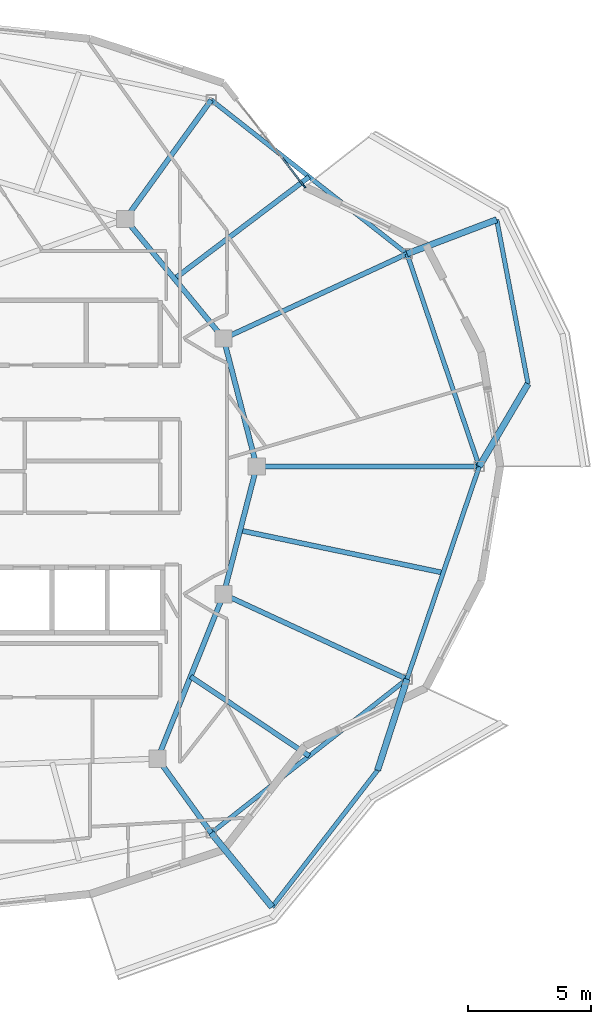
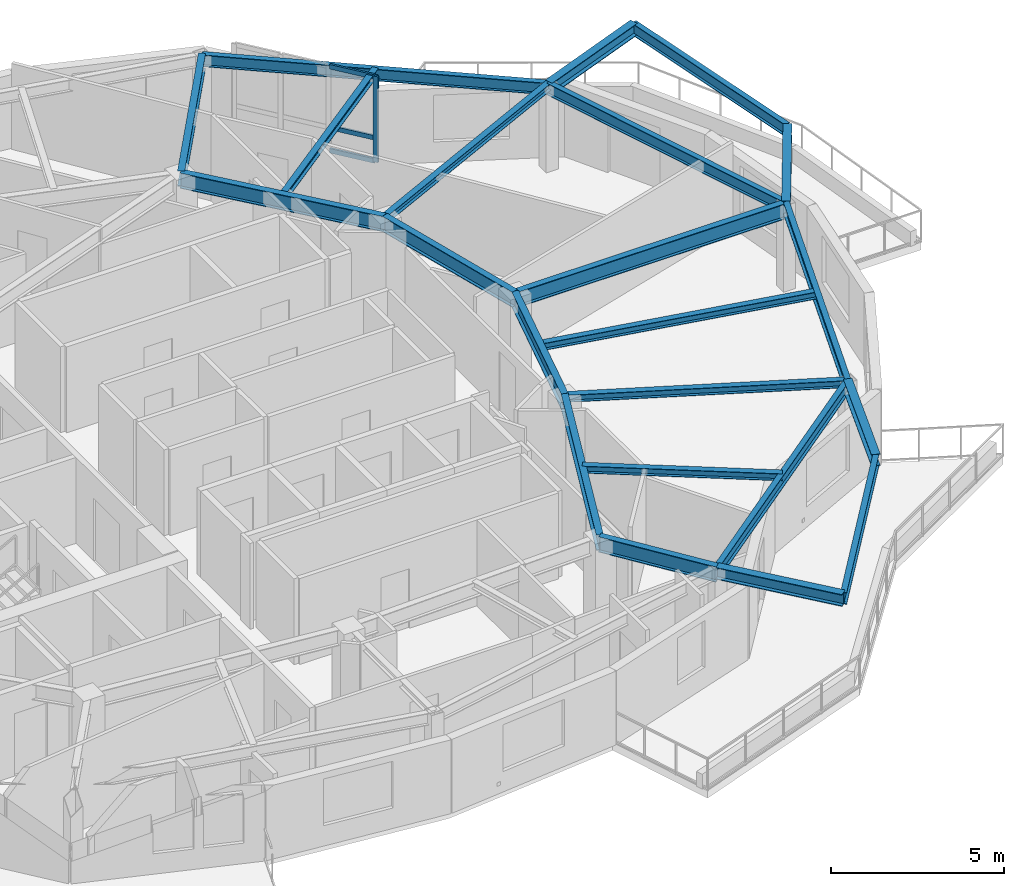
# One storey, part 4 of 14: 22 beams, 4 members, 1 element without a shape of its own.
"""IFC4 building model written with IfcOpenShell, lengths in metres."""

from ifc_helpers import new_model, si_unit, direction, frame, origin, origin_2d, place, context, subcontext, project, spatial, rectangle, i_section, extrude, material, layer, layer_set, material_profile, profile_set, type_object, element, aggregate, save


model = new_model("IFC4")

# Units and contexts
model_context = context("Model", 3, precision=1e-05, world=origin(), true_north=direction((0.0, 1.0)))
body_context = subcontext(model_context, "Body", "Model", "MODEL_VIEW")
ifc_project = project(units=[si_unit("LENGTHUNIT", "METRE"), si_unit("AREAUNIT", "SQUARE_METRE"), si_unit("VOLUMEUNIT", "CUBIC_METRE"), si_unit("PLANEANGLEUNIT", "RADIAN"), si_unit("MASSUNIT", "GRAM", prefix="KILO")], contexts=[model_context])

# Site, building, storey
site_placement = place(None, origin())
site = spatial("IfcSite", under=ifc_project, at=site_placement, CompositionType="ELEMENT")
building_placement = place(site_placement, origin())
building = spatial("IfcBuilding", under=site, at=building_placement, Name="Kolvaren Gate Tower and Convention Centre", CompositionType="ELEMENT")
storey_placement = place(building_placement, frame((0.0, 0.0, 245.89990234375)))
storey = spatial("IfcBuildingStorey", under=building, at=storey_placement, Name="L66", CompositionType="ELEMENT", Elevation=245.89990234375)

# Curtain wall, members
ifc_material_1 = material(Name="Anodized Architectural Aluminium Alloy 6063-T6", Category="aluminium")
ifc_layer = layer(ifc_material_1, 0.159912109375)
ifc_layer_set = layer_set([ifc_layer], Name="Anodized Architectural Aluminium Alloy 6063-T6")
curtain_wall_type = type_object("IfcCurtainWallType", Name="CW-RES-UNIT", PredefinedType="NOTDEFINED", material=ifc_layer_set)
curtain_wall_placement = place(storey_placement, origin())
curtain_wall = element("IfcCurtainWall", 1, at=curtain_wall_placement, inside=storey, type_object=curtain_wall_type, Name="Tower L66 Unitised Curtain Wall CW-RES-UNIT Bay 03", PredefinedType="NOTDEFINED")
ifc_material_profile_1 = material_profile(ifc_material_1, rectangle(XDim=0.06494140625, YDim=0.159912109375, at=origin_2d()), Name="CW-MEM-MUL-160")
ifc_profile_set_1 = profile_set([ifc_material_profile_1], Name="Anodized Architectural Aluminium Alloy 6063-T6")
member_type_1 = type_object("IfcMemberType", Name="CW-MEM-MUL-160", PredefinedType="MULLION", material=ifc_profile_set_1)
member_1_placement = place(storey_placement, frame((44.6572265625, 38.39599609375, 0.0), z_axis=(0.0, 0.0, 1.0), x_axis=(0.787402801606, 0.616438827479, 0.0)))
member_1 = element("IfcMember", 2, at=member_1_placement, type_object=member_type_1, Name="CW-04 mullion 4", PredefinedType="MULLION", context=body_context, shape_type="SweptSolid", body=[
    extrude(rectangle(XDim=0.06494140625, YDim=0.159912109375, at=origin_2d()), origin(), (0.0, 0.0, 1.0), 3.030029296875),
])
ifc_material_profile_2 = material_profile(ifc_material_1, rectangle(XDim=0.06494140625, YDim=0.159912109375, at=origin_2d()), Name="CW-MEM-TRN-160")
ifc_profile_set_2 = profile_set([ifc_material_profile_2], Name="Anodized Architectural Aluminium Alloy 6063-T6")
member_type_2 = type_object("IfcMemberType", Name="CW-MEM-TRN-160", PredefinedType="USERDEFINED", material=ifc_profile_set_2)
member_2_placement = place(storey_placement, frame((43.776611328125, 39.520751953125, 0.03271484375), z_axis=(0.616407273095, -0.787427503758, 0.0), x_axis=(0.787427503758, 0.616407273095, 0.0)))
member_2 = element("IfcMember", 3, at=member_2_placement, type_object=member_type_2, Name="CW-04 transom 3.1", ObjectType="TRANSOM", PredefinedType="USERDEFINED", context=body_context, shape_type="SweptSolid", body=[
    extrude(rectangle(XDim=0.06494140625, YDim=0.159912109375, at=origin_2d()), origin(), (0.0, 0.0, 1.0), 1.396240234375),
])
member_3_placement = place(storey_placement, frame((43.776611328125, 39.520751953125, 0.85009765625), z_axis=(0.616407273095, -0.787427503758, 0.0), x_axis=(0.787427503758, 0.616407273095, 0.0)))
member_3 = element("IfcMember", 4, at=member_3_placement, type_object=member_type_2, Name="CW-04 transom 3.2", ObjectType="TRANSOM", PredefinedType="USERDEFINED", context=body_context, shape_type="SweptSolid", body=[
    extrude(rectangle(XDim=0.06494140625, YDim=0.159912109375, at=origin_2d()), origin(), (0.0, 0.0, 1.0), 1.396240234375),
])
member_4_placement = place(storey_placement, frame((43.776611328125, 39.520751953125, 2.99755859375), z_axis=(0.616407273095, -0.787427503758, 0.0), x_axis=(0.787427503758, 0.616407273095, 0.0)))
member_4 = element("IfcMember", 5, at=member_4_placement, type_object=member_type_2, Name="CW-04 transom 3.3", ObjectType="TRANSOM", PredefinedType="USERDEFINED", context=body_context, shape_type="SweptSolid", body=[
    extrude(rectangle(XDim=0.06494140625, YDim=0.159912109375, at=origin_2d()), origin(), (0.0, 0.0, 1.0), 1.396240234375),
])
aggregate(curtain_wall, [member_1, member_2, member_3, member_4])

# Beams
ifc_material_2 = material(Name="Structural steel ASTM A992 Grade 345 MPa", Category="steel")
ifc_material_profile_3 = material_profile(ifc_material_2, i_section(OverallWidth=0.260009765625, OverallDepth=0.419921875, WebThickness=0.013427734375, FlangeThickness=0.0224609375, at=origin_2d()), Name="W410X132")
ifc_profile_set_3 = profile_set([ifc_material_profile_3], Name="Structural steel ASTM A992 Grade 345 MPa")
beam_type_1 = type_object("IfcBeamType", Name="STR-BM-W410X132", PredefinedType="BEAM", material=ifc_profile_set_3)
beam_1_placement = place(storey_placement, frame((51.77490234375, 27.0, 2.820556640625), z_axis=(0.508138645793, 0.861275285058, 0.0), x_axis=(-0.861275285058, 0.508138645793, 0.0)))
element("IfcBeam", 6, at=beam_1_placement, inside=storey, type_object=beam_type_1, Name="Tower L67 Planted Balcony Outrigger Cantilever BC-1A", PredefinedType="BEAM", context=body_context, shape_type="SweptSolid", body=[
    extrude(i_section(OverallWidth=0.260009765625, OverallDepth=0.419921875, WebThickness=0.013427734375, FlangeThickness=0.0224609375, at=origin_2d()), origin(), (0.0, 0.0, 1.0), 3.89990234375),
])
beam_2_placement = place(storey_placement, frame((48.8388671875, 35.6435546875, 2.820556640625), z_axis=(0.934583890573, 0.355742816485, 0.0), x_axis=(-0.355742816485, 0.934583890573, 0.0)))
element("IfcBeam", 7, at=beam_2_placement, inside=storey, type_object=beam_type_1, Name="Tower L67 Planted Balcony Outrigger Cantilever BC-1B", PredefinedType="BEAM", context=body_context, shape_type="SweptSolid", body=[
    extrude(i_section(OverallWidth=0.260009765625, OverallDepth=0.419921875, WebThickness=0.013427734375, FlangeThickness=0.0224609375, at=origin_2d()), origin(), (0.0, 0.0, 1.0), 3.900146484375),
])
beam_3_placement = place(storey_placement, frame((40.877685546875, 12.100830078125, 2.820556640625), z_axis=(0.634712723343, -0.77274818591, 0.0), x_axis=(0.77274818591, 0.634712723343, 0.0)))
element("IfcBeam", 8, at=beam_3_placement, inside=storey, type_object=beam_type_1, Name="Tower L67 Planted Balcony Outrigger Cantilever BC-4A", PredefinedType="BEAM", context=body_context, shape_type="SweptSolid", body=[
    extrude(i_section(OverallWidth=0.260009765625, OverallDepth=0.419921875, WebThickness=0.013427734375, FlangeThickness=0.0224609375, at=origin_2d()), origin(), (0.0, 0.0, 1.0), 3.89990234375),
])
beam_4_placement = place(storey_placement, frame((48.8388671875, 18.3564453125, 2.820556640625), z_axis=(-0.307670281141, -0.951493036287, 0.0), x_axis=(0.951493036287, -0.307670281141, 0.0)))
element("IfcBeam", 9, at=beam_4_placement, inside=storey, type_object=beam_type_1, Name="Tower L67 Planted Balcony Outrigger Cantilever BC-4B", PredefinedType="BEAM", context=body_context, shape_type="SweptSolid", body=[
    extrude(i_section(OverallWidth=0.260009765625, OverallDepth=0.419921875, WebThickness=0.013427734375, FlangeThickness=0.0224609375, at=origin_2d()), origin(), (0.0, 0.0, 1.0), 3.900146484375),
])
ifc_material_profile_4 = material_profile(ifc_material_2, i_section(OverallWidth=0.2119140625, OverallDepth=0.5439453125, WebThickness=0.01318359375, FlangeThickness=0.021240234375, at=origin_2d()), Name="W530X123")
ifc_profile_set_4 = profile_set([ifc_material_profile_4], Name="Structural steel ASTM A992 Grade 345 MPa")
beam_type_2 = type_object("IfcBeamType", Name="STR-BM-W530X123", PredefinedType="BEAM", material=ifc_profile_set_4)
beam_5_placement = place(storey_placement, frame((42.72509765625, 27.0, 2.758056640625), z_axis=(-0.250091133936, -0.968222301296, 0.0), x_axis=(0.968222301296, -0.250091133936, 0.0)))
element("IfcBeam", 10, at=beam_5_placement, inside=storey, type_object=beam_type_2, Name="Tower L66 Primary Ring Girder G-01", PredefinedType="BEAM", context=body_context, shape_type="SweptSolid", body=[
    extrude(i_section(OverallWidth=0.2119140625, OverallDepth=0.5439453125, WebThickness=0.01318359375, FlangeThickness=0.021240234375, at=origin_2d()), origin(), (0.0, 0.0, 1.0), 5.3701171875),
])
beam_6_placement = place(storey_placement, frame((41.382080078125, 32.199462890625, 2.758056640625), z_axis=(-0.635884066011, 0.771784590798, 0.0), x_axis=(-0.771784590798, -0.635884066011, 0.0)))
element("IfcBeam", 11, at=beam_6_placement, inside=storey, type_object=beam_type_2, Name="Tower L66 Primary Ring Girder G-02", PredefinedType="BEAM", context=body_context, shape_type="SweptSolid", body=[
    extrude(i_section(OverallWidth=0.2119140625, OverallDepth=0.5439453125, WebThickness=0.01318359375, FlangeThickness=0.021240234375, at=origin_2d()), origin(), (0.0, 0.0, 1.0), 6.291259765625),
])
beam_7_placement = place(storey_placement, frame((38.6982421875, 15.12060546875, 2.758056640625), z_axis=(0.372811100169, 0.927907260232, 0.0), x_axis=(-0.927907260232, 0.372811100169, 0.0)))
element("IfcBeam", 12, at=beam_7_placement, inside=storey, type_object=beam_type_2, Name="Tower L66 Primary Ring Girder G-09", PredefinedType="BEAM", context=body_context, shape_type="SweptSolid", body=[
    extrude(i_section(OverallWidth=0.2119140625, OverallDepth=0.5439453125, WebThickness=0.01318359375, FlangeThickness=0.021240234375, at=origin_2d()), origin(), (0.0, 0.0, 1.0), 7.198974609375),
])
beam_8_placement = place(storey_placement, frame((42.72509765625, 27.0, 2.758056640625), z_axis=(-0.250091133936, 0.968222301296, 0.0), x_axis=(-0.968222301296, -0.250091133936, 0.0)))
element("IfcBeam", 13, at=beam_8_placement, inside=storey, type_object=beam_type_2, Name="Tower L66 Primary Ring Girder G-12", PredefinedType="BEAM", context=body_context, shape_type="SweptSolid", body=[
    extrude(i_section(OverallWidth=0.2119140625, OverallDepth=0.5439453125, WebThickness=0.01318359375, FlangeThickness=0.021240234375, at=origin_2d()), origin(), (0.0, 0.0, 1.0), 5.3701171875),
])
beam_9_placement = place(storey_placement, frame((42.72509765625, 27.0, 2.758056640625), z_axis=(1.0, 0.0, 0.0), x_axis=(0.0, 1.0, 0.0)))
element("IfcBeam", 14, at=beam_9_placement, inside=storey, type_object=beam_type_2, Name="Tower L66 Radial Floor Girder RB-01", PredefinedType="BEAM", context=body_context, shape_type="SweptSolid", body=[
    extrude(i_section(OverallWidth=0.2119140625, OverallDepth=0.5439453125, WebThickness=0.01318359375, FlangeThickness=0.021240234375, at=origin_2d()), origin(), (0.0, 0.0, 1.0), 9.0498046875),
])
beam_10_placement = place(storey_placement, frame((37.381591796875, 37.054931640625, 2.758056640625), z_axis=(0.585212989833, 0.810879619013, 0.0), x_axis=(-0.810879619013, 0.585212989833, 0.0)))
element("IfcBeam", 15, at=beam_10_placement, inside=storey, type_object=beam_type_2, Name="Tower L66 Radial Floor Girder RB-03", PredefinedType="BEAM", context=body_context, shape_type="SweptSolid", body=[
    extrude(i_section(OverallWidth=0.2119140625, OverallDepth=0.5439453125, WebThickness=0.01318359375, FlangeThickness=0.021240234375, at=origin_2d()), origin(), (0.0, 0.0, 1.0), 5.97412109375),
])
beam_11_placement = place(storey_placement, frame((38.6982421875, 15.12060546875, 2.758056640625), z_axis=(0.58522483817, -0.81087106792, 0.0), x_axis=(0.81087106792, 0.58522483817, 0.0)))
element("IfcBeam", 16, at=beam_11_placement, inside=storey, type_object=beam_type_2, Name="Tower L66 Radial Floor Girder RB-11", PredefinedType="BEAM", context=body_context, shape_type="SweptSolid", body=[
    extrude(i_section(OverallWidth=0.2119140625, OverallDepth=0.5439453125, WebThickness=0.01318359375, FlangeThickness=0.021240234375, at=origin_2d()), origin(), (0.0, 0.0, 1.0), 3.72412109375),
])
ifc_material_profile_5 = material_profile(ifc_material_2, i_section(OverallWidth=0.202880859375, OverallDepth=0.251953125, WebThickness=0.008056640625, FlangeThickness=0.013427734375, at=origin_2d()), Name="W250X58")
ifc_profile_set_5 = profile_set([ifc_material_profile_5], Name="Structural steel ASTM A992 Grade 345 MPa")
beam_type_3 = type_object("IfcBeamType", Name="STR-JS-W250X58", PredefinedType="JOIST", material=ifc_profile_set_5)
for number, where, z_axis, x_axis, name in (
    (17, (41.382080078125, 32.199462890625, 2.904052734375), (0.907843645886, 0.419308853502, 0.0), (-0.419308853502, 0.907843645886, 0.0), "Tower L66 Radial Floor Girder RB-02"),
    (18, (41.382080078125, 21.800537109375, 2.904052734375), (0.907843645886, -0.419308853502, 0.0), (0.419308853502, 0.907843645886, 0.0), "Tower L66 Radial Floor Girder RB-12"),
):
    element("IfcBeam", number, at=place(storey_placement, frame(where, z_axis=z_axis, x_axis=x_axis)), inside=storey, type_object=beam_type_3, Name=name, PredefinedType="JOIST", context=body_context, shape_type="SweptSolid", body=[
        extrude(i_section(OverallWidth=0.202880859375, OverallDepth=0.251953125, WebThickness=0.008056640625, FlangeThickness=0.013427734375, at=origin_2d()), origin(), (0.0, 0.0, 1.0), 8.213623046875),
    ])
beam_12_placement = place(storey_placement, frame((39.3818359375, 34.627197265625, 2.904052734375), z_axis=(0.797403149346, 0.603446946643, 0.0), x_axis=(-0.603446946643, 0.797403149346, 0.0)))
element("IfcBeam", 19, at=beam_12_placement, inside=storey, type_object=beam_type_3, Name="Tower L66 Secondary Composite Floor Joist J-02.1", PredefinedType="JOIST", context=body_context, shape_type="SweptSolid", body=[
    extrude(i_section(OverallWidth=0.202880859375, OverallDepth=0.251953125, WebThickness=0.008056640625, FlangeThickness=0.013427734375, at=origin_2d()), origin(), (0.0, 0.0, 1.0), 6.86767578125),
])
beam_13_placement = place(storey_placement, frame((40.040283203125, 18.46044921875, 2.904052734375), z_axis=(0.830454207472, -0.557086895638, 0.0), x_axis=(0.557086895638, 0.830454207472, 0.0)))
element("IfcBeam", 20, at=beam_13_placement, inside=storey, type_object=beam_type_3, Name="Tower L66 Secondary Composite Floor Joist J-11.1", PredefinedType="JOIST", context=body_context, shape_type="SweptSolid", body=[
    extrude(i_section(OverallWidth=0.202880859375, OverallDepth=0.251953125, WebThickness=0.008056640625, FlangeThickness=0.013427734375, at=origin_2d()), origin(), (0.0, 0.0, 1.0), 5.801513671875),
])
beam_14_placement = place(storey_placement, frame((42.0537109375, 24.400146484375, 2.904052734375), z_axis=(0.978920872293, -0.204239873163, 0.0), x_axis=(0.204239873163, 0.978920872293, 0.0)))
element("IfcBeam", 21, at=beam_14_placement, inside=storey, type_object=beam_type_3, Name="Tower L66 Secondary Composite Floor Joist J-12.1", PredefinedType="JOIST", context=body_context, shape_type="SweptSolid", body=[
    extrude(i_section(OverallWidth=0.202880859375, OverallDepth=0.251953125, WebThickness=0.008056640625, FlangeThickness=0.013427734375, at=origin_2d()), origin(), (0.0, 0.0, 1.0), 8.430908203125),
])
ifc_material_profile_6 = material_profile(ifc_material_2, i_section(OverallWidth=0.180908203125, OverallDepth=0.4169921875, WebThickness=0.010986328125, FlangeThickness=0.018310546875, at=origin_2d()), Name="W410X85")
ifc_profile_set_6 = profile_set([ifc_material_profile_6], Name="Structural steel ASTM A992 Grade 345 MPa")
beam_type_4 = type_object("IfcBeamType", Name="STR-SP-W410X85", PredefinedType="SPANDREL", material=ifc_profile_set_6)
beam_15_placement = place(storey_placement, frame((51.77490234375, 27.0, 2.821533203125), z_axis=(-0.32163038352, 0.946865300028, 0.0), x_axis=(-0.946865300028, -0.32163038352, 0.0)))
element("IfcBeam", 22, at=beam_15_placement, inside=storey, type_object=beam_type_4, Name="Tower L66 Perimeter Spandrel Beam SP-01", PredefinedType="SPANDREL", context=body_context, shape_type="SweptSolid", body=[
    extrude(i_section(OverallWidth=0.180908203125, OverallDepth=0.4169921875, WebThickness=0.010986328125, FlangeThickness=0.018310546875, at=origin_2d()), origin(), (0.0, 0.0, 1.0), 9.128662109375),
])
for number, where, z_axis, x_axis, name in (
    (23, (48.8388671875, 35.6435546875, 2.821533203125), (-0.786299093723, 0.61784604491, 0.0), (-0.61784604491, -0.786299093723, 0.0), "Tower L66 Perimeter Spandrel Beam SP-02"),
    (24, (40.877685546875, 12.100830078125, 2.821533203125), (0.786299093723, 0.61784604491, 0.0), (-0.61784604491, 0.786299093723, 0.0), "Tower L66 Perimeter Spandrel Beam SP-11"),
):
    element("IfcBeam", number, at=place(storey_placement, frame(where, z_axis=z_axis, x_axis=x_axis)), inside=storey, type_object=beam_type_4, Name=name, PredefinedType="SPANDREL", context=body_context, shape_type="SweptSolid", body=[
        extrude(i_section(OverallWidth=0.180908203125, OverallDepth=0.4169921875, WebThickness=0.010986328125, FlangeThickness=0.018310546875, at=origin_2d()), origin(), (0.0, 0.0, 1.0), 10.124755859375),
    ])
beam_16_placement = place(storey_placement, frame((48.8388671875, 18.3564453125, 2.821533203125), z_axis=(0.32163038352, 0.946865300028, 0.0), x_axis=(-0.946865300028, 0.32163038352, 0.0)))
element("IfcBeam", 25, at=beam_16_placement, inside=storey, type_object=beam_type_4, Name="Tower L66 Perimeter Spandrel Beam SP-12", PredefinedType="SPANDREL", context=body_context, shape_type="SweptSolid", body=[
    extrude(i_section(OverallWidth=0.180908203125, OverallDepth=0.4169921875, WebThickness=0.010986328125, FlangeThickness=0.018310546875, at=origin_2d()), origin(), (0.0, 0.0, 1.0), 9.128662109375),
])
beam_17_placement = place(storey_placement, frame((53.756591796875, 30.35888671875, 2.822021484375), z_axis=(-0.187371410824, 0.982289139921, 0.0), x_axis=(-0.982289139921, -0.187371410824, 0.0)))
element("IfcBeam", 26, at=beam_17_placement, inside=storey, type_object=beam_type_4, Name="Tower L67 Planted Balcony Header Tie Beam BT-1", PredefinedType="SPANDREL", context=body_context, shape_type="SweptSolid", body=[
    extrude(i_section(OverallWidth=0.180908203125, OverallDepth=0.4169921875, WebThickness=0.010986328125, FlangeThickness=0.018310546875, at=origin_2d()), origin(), (0.0, 0.0, 1.0), 6.79248046875),
])
beam_18_placement = place(storey_placement, frame((43.35302734375, 9.087158203125, 2.822021484375), z_axis=(0.610626494716, 0.791918735699, 0.0), x_axis=(-0.791918735699, 0.610626494716, 0.0)))
element("IfcBeam", 27, at=beam_18_placement, inside=storey, type_object=beam_type_4, Name="Tower L67 Planted Balcony Header Tie Beam BT-4", PredefinedType="SPANDREL", context=body_context, shape_type="SweptSolid", body=[
    extrude(i_section(OverallWidth=0.180908203125, OverallDepth=0.4169921875, WebThickness=0.010986328125, FlangeThickness=0.018310546875, at=origin_2d()), origin(), (0.0, 0.0, 1.0), 7.018798828125),
])

save(model, "model.ifc")
